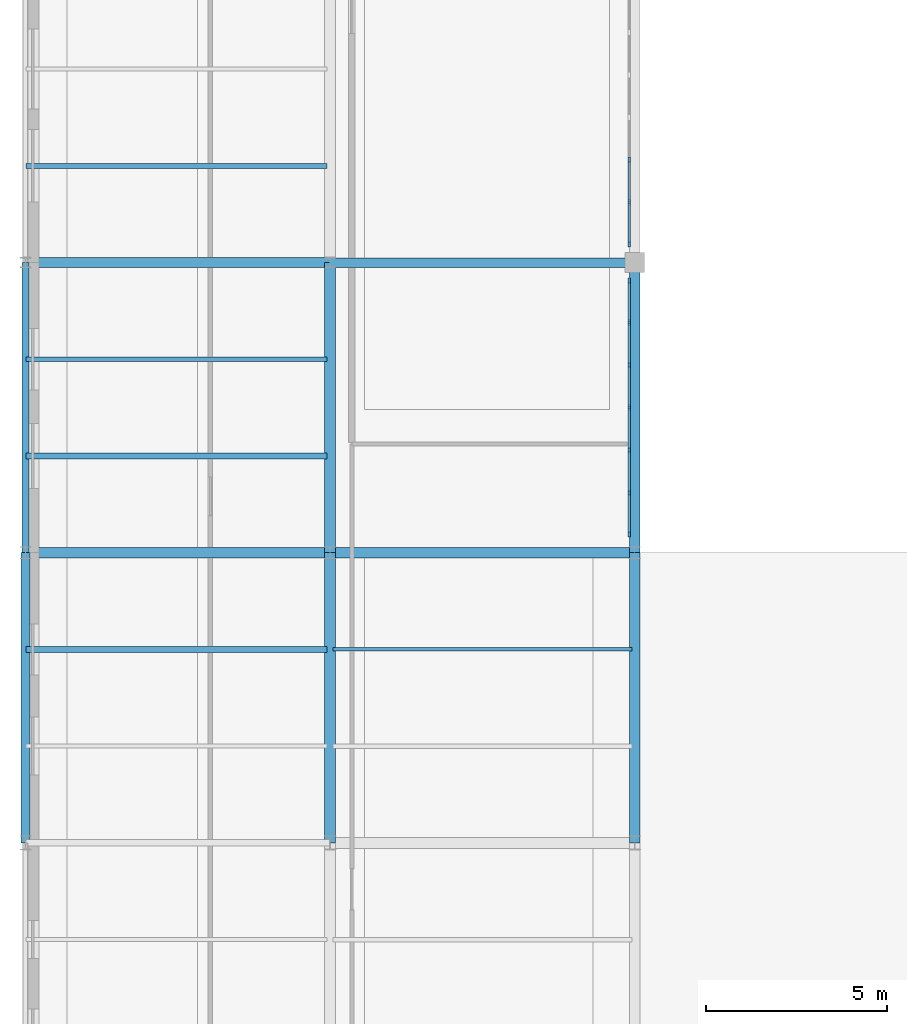
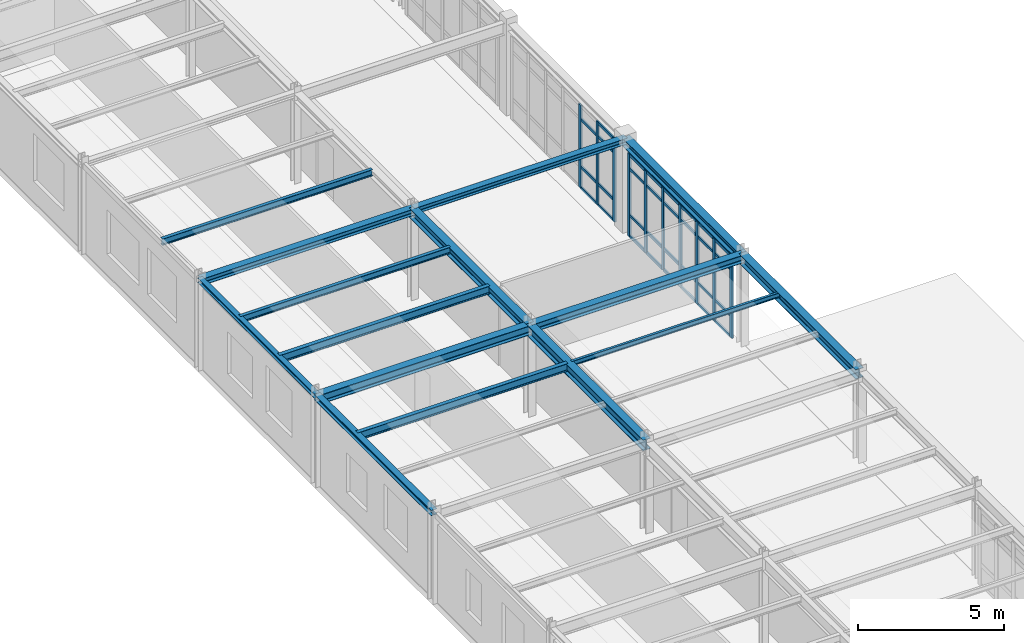
# One storey, part 17 of 58: 41 members, 15 beams, 2 elements without a shape of their own.
"""IFC4 building model written with IfcOpenShell, lengths in metres."""

from ifc_helpers import new_model, si_unit, derived_unit, direction, frame, origin, origin_2d, place, context, subcontext, project, spatial, rectangle, i_section, extrude, material, layer, layer_set, material_profile, profile_set, type_object, element, aggregate, save


model = new_model("IFC4")

# Units and contexts
model_context = context("Model", 3, precision=1e-05, world=origin(), true_north=direction((0.0, 1.0)))
body_context = subcontext(model_context, "Body", "Model", "MODEL_VIEW")
ifc_project = project(units=[si_unit("LENGTHUNIT", "METRE"), si_unit("AREAUNIT", "SQUARE_METRE"), si_unit("VOLUMEUNIT", "CUBIC_METRE"), si_unit("PLANEANGLEUNIT", "RADIAN"), si_unit("MASSUNIT", "GRAM", prefix="KILO"), derived_unit("THERMALTRANSMITTANCEUNIT", [(si_unit("POWERUNIT", "WATT"), 1), (si_unit("AREAUNIT", "SQUARE_METRE"), -1), (si_unit("THERMODYNAMICTEMPERATUREUNIT", "KELVIN"), -1)])], contexts=[model_context])

# Site, building, storey
site_placement = place(None, origin())
site = spatial("IfcSite", under=ifc_project, at=site_placement, CompositionType="ELEMENT")
building_placement = place(site_placement, origin())
building = spatial("IfcBuilding", under=site, at=building_placement, Name="Yasenodar Specialist Clinic", CompositionType="ELEMENT")
storey_placement = place(building_placement, frame((0.0, 0.0, 17.25)))
storey = spatial("IfcBuildingStorey", under=building, at=storey_placement, Name="L04", CompositionType="ELEMENT", Elevation=17.25)

# Beams
ifc_material_1 = material(Name="Steel S355", Category="steel")
ifc_material_profile_1 = material_profile(ifc_material_1, i_section(OverallWidth=0.260009765625, OverallDepth=0.25, WebThickness=0.007568359375, FlangeThickness=0.012451171875, FilletRadius=0.02392578125, at=origin_2d()), Name="HEA 260")
ifc_profile_set_1 = profile_set([ifc_material_profile_1], Name="Steel S355")
beam_type_1 = type_object("IfcBeamType", Name="BM-HEA260", PredefinedType="BEAM", material=ifc_profile_set_1)
beam_1_placement = place(storey_placement, frame((8.39990234375, 74.800048828125, 3.675048828125), z_axis=(1.0, 0.0, 0.0), x_axis=(0.0, 1.0, 0.0)))
element("IfcBeam", 1, at=beam_1_placement, inside=storey, type_object=beam_type_1, Name="L04 Primary E-W Girder", PredefinedType="BEAM", context=body_context, shape_type="SweptSolid", body=[
    extrude(i_section(OverallWidth=0.260009765625, OverallDepth=0.25, WebThickness=0.007568359375, FlangeThickness=0.012451171875, FilletRadius=0.02392578125, at=origin_2d()), origin(), (0.0, 0.0, 1.0), 8.400146484375),
])
ifc_material_profile_2 = material_profile(ifc_material_1, i_section(OverallWidth=0.280029296875, OverallDepth=0.27001953125, WebThickness=0.008056640625, FlangeThickness=0.012939453125, FilletRadius=0.02392578125, at=origin_2d()), Name="HEA 280")
ifc_profile_set_2 = profile_set([ifc_material_profile_2], Name="Steel S355")
beam_type_2 = type_object("IfcBeamType", Name="BM-HEA280", PredefinedType="BEAM", material=ifc_profile_set_2)
beam_2_placement = place(storey_placement, frame((0.0, 74.800048828125, 3.6650390625), z_axis=(1.0, 0.0, 0.0), x_axis=(0.0, 1.0, 0.0)))
element("IfcBeam", 2, at=beam_2_placement, inside=storey, type_object=beam_type_2, Name="L04 Primary E-W Girder", PredefinedType="BEAM", context=body_context, shape_type="SweptSolid", body=[
    extrude(i_section(OverallWidth=0.280029296875, OverallDepth=0.27001953125, WebThickness=0.008056640625, FlangeThickness=0.012939453125, FilletRadius=0.02392578125, at=origin_2d()), origin(), (0.0, 0.0, 1.0), 8.39990234375),
])
ifc_material_profile_3 = material_profile(ifc_material_1, i_section(OverallWidth=0.300048828125, OverallDepth=0.330078125, WebThickness=0.009521484375, FlangeThickness=0.0166015625, FilletRadius=0.027099609375, at=origin_2d()), Name="HEA 340")
ifc_profile_set_3 = profile_set([ifc_material_profile_3], Name="Steel S355")
beam_type_3 = type_object("IfcBeamType", Name="BM-HEA340", PredefinedType="BEAM", material=ifc_profile_set_3)
beam_3_placement = place(storey_placement, frame((8.39990234375, 66.800048828125, 3.635009765625), z_axis=(1.0, 0.0, 0.0), x_axis=(0.0, 1.0, 0.0)))
element("IfcBeam", 3, at=beam_3_placement, inside=storey, type_object=beam_type_3, Name="L04 Primary E-W Girder", PredefinedType="BEAM", context=body_context, shape_type="SweptSolid", body=[
    extrude(i_section(OverallWidth=0.300048828125, OverallDepth=0.330078125, WebThickness=0.009521484375, FlangeThickness=0.0166015625, FilletRadius=0.027099609375, at=origin_2d()), origin(), (0.0, 0.0, 1.0), 8.400146484375),
])
ifc_material_profile_4 = material_profile(ifc_material_1, i_section(OverallWidth=0.300048828125, OverallDepth=0.389892578125, WebThickness=0.010986328125, FlangeThickness=0.01904296875, FilletRadius=0.027099609375, at=origin_2d()), Name="HEA 400")
ifc_profile_set_4 = profile_set([ifc_material_profile_4], Name="Steel S355")
beam_type_4 = type_object("IfcBeamType", Name="BM-HEA400", PredefinedType="BEAM", material=ifc_profile_set_4)
beam_4_placement = place(storey_placement, frame((0.0, 66.800048828125, 3.60498046875), z_axis=(1.0, 0.0, 0.0), x_axis=(0.0, 1.0, 0.0)))
element("IfcBeam", 4, at=beam_4_placement, inside=storey, type_object=beam_type_4, Name="L04 Primary E-W Girder", PredefinedType="BEAM", context=body_context, shape_type="SweptSolid", body=[
    extrude(i_section(OverallWidth=0.300048828125, OverallDepth=0.389892578125, WebThickness=0.010986328125, FlangeThickness=0.01904296875, FilletRadius=0.027099609375, at=origin_2d()), origin(), (0.0, 0.0, 1.0), 8.39990234375),
])
ifc_material_profile_5 = material_profile(ifc_material_1, i_section(OverallWidth=0.300048828125, OverallDepth=0.340087890625, WebThickness=0.011962890625, FlangeThickness=0.021484375, FilletRadius=0.027099609375, at=origin_2d()), Name="HEB 340")
ifc_profile_set_5 = profile_set([ifc_material_profile_5], Name="Steel S355")
beam_type_5 = type_object("IfcBeamType", Name="BM-HEB340", PredefinedType="BEAM", material=ifc_profile_set_5)
beam_5_placement = place(storey_placement, frame((16.800048828125, 66.800048828125, 3.6298828125), z_axis=(0.0, 1.0, 0.0), x_axis=(-1.0, 0.0, 0.0)))
element("IfcBeam", 5, at=beam_5_placement, inside=storey, type_object=beam_type_5, Name="L04 Primary N-S Girder", PredefinedType="BEAM", context=body_context, shape_type="SweptSolid", body=[
    extrude(i_section(OverallWidth=0.300048828125, OverallDepth=0.340087890625, WebThickness=0.011962890625, FlangeThickness=0.021484375, FilletRadius=0.027099609375, at=origin_2d()), origin(), (0.0, 0.0, 1.0), 8.0),
])
ifc_material_profile_6 = material_profile(ifc_material_1, i_section(OverallWidth=0.300048828125, OverallDepth=0.39990234375, WebThickness=0.013427734375, FlangeThickness=0.02392578125, FilletRadius=0.027099609375, at=origin_2d()), Name="HEB 400")
ifc_profile_set_6 = profile_set([ifc_material_profile_6], Name="Steel S355")
beam_type_6 = type_object("IfcBeamType", Name="BM-HEB400", PredefinedType="BEAM", material=ifc_profile_set_6)
for number, where, z_axis, x_axis, name in (
    (6, (8.39990234375, 66.800048828125, 3.60009765625), (0.0, 1.0, 0.0), (-1.0, 0.0, 0.0), "L04 Primary N-S Girder"),
    (7, (16.800048828125, 58.800048828125, 3.60009765625), (0.0, 1.0, 0.0), (-1.0, 0.0, 0.0), "L04 Primary N-S Girder"),
):
    element("IfcBeam", number, at=place(storey_placement, frame(where, z_axis=z_axis, x_axis=x_axis)), inside=storey, type_object=beam_type_6, Name=name, PredefinedType="BEAM", context=body_context, shape_type="SweptSolid", body=[
        extrude(i_section(OverallWidth=0.300048828125, OverallDepth=0.39990234375, WebThickness=0.013427734375, FlangeThickness=0.02392578125, FilletRadius=0.027099609375, at=origin_2d()), origin(), (0.0, 0.0, 1.0), 8.0),
    ])
ifc_material_profile_7 = material_profile(ifc_material_1, i_section(OverallWidth=0.300048828125, OverallDepth=0.449951171875, WebThickness=0.013916015625, FlangeThickness=0.02587890625, FilletRadius=0.027099609375, at=origin_2d()), Name="HEB 450")
ifc_profile_set_7 = profile_set([ifc_material_profile_7], Name="Steel S355")
beam_type_7 = type_object("IfcBeamType", Name="BM-HEB450", PredefinedType="BEAM", material=ifc_profile_set_7)
beam_6_placement = place(storey_placement, frame((8.39990234375, 58.800048828125, 3.574951171875), z_axis=(0.0, 1.0, 0.0), x_axis=(-1.0, 0.0, 0.0)))
element("IfcBeam", 8, at=beam_6_placement, inside=storey, type_object=beam_type_7, Name="L04 Primary N-S Girder", PredefinedType="BEAM", context=body_context, shape_type="SweptSolid", body=[
    extrude(i_section(OverallWidth=0.300048828125, OverallDepth=0.449951171875, WebThickness=0.013916015625, FlangeThickness=0.02587890625, FilletRadius=0.027099609375, at=origin_2d()), origin(), (0.0, 0.0, 1.0), 8.0),
])

# Curtain wall, members
ifc_material_2 = material(Name="Bronze Anodized Aluminium and Triple Low-E Glass", Category="aluminium")
ifc_layer = layer(ifc_material_2, 0.202880859375)
ifc_layer_set = layer_set([ifc_layer], Name="Bronze Anodized Aluminium and Triple Low-E Glass")
curtain_wall_type = type_object("IfcCurtainWallType", Name="CW-SYS-04", PredefinedType="USERDEFINED", material=ifc_layer_set)
curtain_wall_1_placement = place(storey_placement, origin())
curtain_wall_1 = element("IfcCurtainWall", 9, at=curtain_wall_1_placement, inside=storey, type_object=curtain_wall_type, Name="L04 Unitised Curtain Wall 138", ObjectType="UNITISED CURTAIN WALL", PredefinedType="USERDEFINED")
ifc_material_3 = material(Name="Bronze Anodized Aluminium", Category="aluminium")
ifc_material_profile_8 = material_profile(ifc_material_3, rectangle(XDim=0.06005859375, YDim=0.159912109375, at=origin_2d()), Name="CW-MULL 60x160")
ifc_profile_set_8 = profile_set([ifc_material_profile_8], Name="Bronze Anodized Aluminium")
member_type_1 = type_object("IfcMemberType", Name="CW-MULL-160", PredefinedType="MULLION", material=ifc_profile_set_8)
member_1_placement = place(storey_placement, frame((16.64990234375, 77.626708984375, 0.0), z_axis=(0.0, 0.0, 1.0), x_axis=(1.0, 0.0, 0.0)))
member_1 = element("IfcMember", 10, at=member_1_placement, type_object=member_type_1, Name="CW-04 mullion 5", PredefinedType="MULLION", context=body_context, shape_type="SweptSolid", body=[
    extrude(rectangle(XDim=0.06005859375, YDim=0.159912109375, at=origin_2d()), origin(), (0.0, 0.0, 1.0), 3.47802734375),
])
member_2_placement = place(storey_placement, frame((16.64990234375, 76.453369140625, 0.0), z_axis=(0.0, 0.0, 1.0), x_axis=(1.0, 0.0, 0.0)))
member_2 = element("IfcMember", 11, at=member_2_placement, type_object=member_type_1, Name="CW-04 mullion 6", PredefinedType="MULLION", context=body_context, shape_type="SweptSolid", body=[
    extrude(rectangle(XDim=0.06005859375, YDim=0.159912109375, at=origin_2d()), origin(), (0.0, 0.0, 1.0), 3.47802734375),
])
member_3_placement = place(storey_placement, frame((16.64990234375, 75.31005859375, 0.0), z_axis=(0.0, 0.0, 1.0), x_axis=(1.0, 0.0, 0.0)))
member_3 = element("IfcMember", 12, at=member_3_placement, type_object=member_type_1, Name="CW-04 mullion 7", PredefinedType="MULLION", context=body_context, shape_type="SweptSolid", body=[
    extrude(rectangle(XDim=0.06005859375, YDim=0.159912109375, at=origin_2d()), origin(), (0.0, 0.0, 1.0), 3.47802734375),
])

curtain_wall_2_placement = place(storey_placement, origin())
curtain_wall_2 = element("IfcCurtainWall", 13, at=curtain_wall_2_placement, inside=storey, type_object=curtain_wall_type, Name="L04 Unitised Curtain Wall 139", ObjectType="UNITISED CURTAIN WALL", PredefinedType="USERDEFINED")
member_4_placement = place(storey_placement, frame((16.64990234375, 74.2900390625, 0.0), z_axis=(0.0, 0.0, 1.0), x_axis=(1.0, 0.0, 0.0)))
member_4 = element("IfcMember", 14, at=member_4_placement, type_object=member_type_1, Name="CW-04 mullion 1", PredefinedType="MULLION", context=body_context, shape_type="SweptSolid", body=[
    extrude(rectangle(XDim=0.06005859375, YDim=0.159912109375, at=origin_2d()), origin(), (0.0, 0.0, 1.0), 3.43798828125),
])
member_5_placement = place(storey_placement, frame((16.64990234375, 73.146728515625, 0.0), z_axis=(0.0, 0.0, 1.0), x_axis=(1.0, 0.0, 0.0)))
member_5 = element("IfcMember", 15, at=member_5_placement, type_object=member_type_1, Name="CW-04 mullion 2", PredefinedType="MULLION", context=body_context, shape_type="SweptSolid", body=[
    extrude(rectangle(XDim=0.06005859375, YDim=0.159912109375, at=origin_2d()), origin(), (0.0, 0.0, 1.0), 3.43798828125),
])
member_6_placement = place(storey_placement, frame((16.64990234375, 71.973388671875, 0.0), z_axis=(0.0, 0.0, 1.0), x_axis=(1.0, 0.0, 0.0)))
member_6 = element("IfcMember", 16, at=member_6_placement, type_object=member_type_1, Name="CW-04 mullion 3", PredefinedType="MULLION", context=body_context, shape_type="SweptSolid", body=[
    extrude(rectangle(XDim=0.06005859375, YDim=0.159912109375, at=origin_2d()), origin(), (0.0, 0.0, 1.0), 3.43798828125),
])
member_7_placement = place(storey_placement, frame((16.64990234375, 70.800048828125, 0.0), z_axis=(0.0, 0.0, 1.0), x_axis=(1.0, 0.0, 0.0)))
member_7 = element("IfcMember", 17, at=member_7_placement, type_object=member_type_1, Name="CW-04 mullion 4", PredefinedType="MULLION", context=body_context, shape_type="SweptSolid", body=[
    extrude(rectangle(XDim=0.06005859375, YDim=0.159912109375, at=origin_2d()), origin(), (0.0, 0.0, 1.0), 3.43798828125),
])
member_8_placement = place(storey_placement, frame((16.64990234375, 69.626708984375, 0.0), z_axis=(0.0, 0.0, 1.0), x_axis=(1.0, 0.0, 0.0)))
member_8 = element("IfcMember", 18, at=member_8_placement, type_object=member_type_1, Name="CW-04 mullion 5", PredefinedType="MULLION", context=body_context, shape_type="SweptSolid", body=[
    extrude(rectangle(XDim=0.06005859375, YDim=0.159912109375, at=origin_2d()), origin(), (0.0, 0.0, 1.0), 3.43798828125),
])
member_9_placement = place(storey_placement, frame((16.64990234375, 68.453369140625, 0.0), z_axis=(0.0, 0.0, 1.0), x_axis=(1.0, 0.0, 0.0)))
member_9 = element("IfcMember", 19, at=member_9_placement, type_object=member_type_1, Name="CW-04 mullion 6", PredefinedType="MULLION", context=body_context, shape_type="SweptSolid", body=[
    extrude(rectangle(XDim=0.06005859375, YDim=0.159912109375, at=origin_2d()), origin(), (0.0, 0.0, 1.0), 3.43798828125),
])
member_10_placement = place(storey_placement, frame((16.64990234375, 67.31005859375, 0.0), z_axis=(0.0, 0.0, 1.0), x_axis=(1.0, 0.0, 0.0)))
member_10 = element("IfcMember", 20, at=member_10_placement, type_object=member_type_1, Name="CW-04 mullion 7", PredefinedType="MULLION", context=body_context, shape_type="SweptSolid", body=[
    extrude(rectangle(XDim=0.06005859375, YDim=0.159912109375, at=origin_2d()), origin(), (0.0, 0.0, 1.0), 3.43798828125),
])

# Member
ifc_material_profile_9 = material_profile(ifc_material_3, rectangle(XDim=0.06005859375, YDim=0.1201171875, at=origin_2d()), Name="CW-TRAN 60x120")
ifc_profile_set_9 = profile_set([ifc_material_profile_9], Name="Bronze Anodized Aluminium")
member_type_2 = type_object("IfcMemberType", Name="CW-TRAN-120", PredefinedType="USERDEFINED", material=ifc_profile_set_9)
member_11_placement = place(storey_placement, frame((16.64990234375, 77.5966796875, 0.030029296875), z_axis=(0.0, -1.0, 0.0), x_axis=(1.0, 0.0, 0.0)))
member_11 = element("IfcMember", 21, at=member_11_placement, type_object=member_type_2, Name="CW-04 transom 5.1", ObjectType="TRANSOM", PredefinedType="USERDEFINED", context=body_context, shape_type="SweptSolid", body=[
    extrude(rectangle(XDim=0.06005859375, YDim=0.1201171875, at=origin_2d()), origin(), (0.0, 0.0, 1.0), 1.11328125),
])

member_12_placement = place(storey_placement, frame((16.64990234375, 77.5966796875, 0.89990234375), z_axis=(0.0, -1.0, 0.0), x_axis=(1.0, 0.0, 0.0)))
member_12 = element("IfcMember", 22, at=member_12_placement, type_object=member_type_2, Name="CW-04 transom 5.2", ObjectType="TRANSOM", PredefinedType="USERDEFINED", context=body_context, shape_type="SweptSolid", body=[
    extrude(rectangle(XDim=0.06005859375, YDim=0.1201171875, at=origin_2d()), origin(), (0.0, 0.0, 1.0), 1.11328125),
])

member_13_placement = place(storey_placement, frame((16.64990234375, 77.5966796875, 2.8779296875), z_axis=(0.0, -1.0, 0.0), x_axis=(1.0, 0.0, 0.0)))
member_13 = element("IfcMember", 23, at=member_13_placement, type_object=member_type_2, Name="CW-04 transom 5.3", ObjectType="TRANSOM", PredefinedType="USERDEFINED", context=body_context, shape_type="SweptSolid", body=[
    extrude(rectangle(XDim=0.06005859375, YDim=0.1201171875, at=origin_2d()), origin(), (0.0, 0.0, 1.0), 1.11328125),
])

member_14_placement = place(storey_placement, frame((16.64990234375, 76.42333984375, 0.030029296875), z_axis=(0.0, -1.0, 0.0), x_axis=(1.0, 0.0, 0.0)))
member_14 = element("IfcMember", 24, at=member_14_placement, type_object=member_type_2, Name="CW-04 transom 6.1", ObjectType="TRANSOM", PredefinedType="USERDEFINED", context=body_context, shape_type="SweptSolid", body=[
    extrude(rectangle(XDim=0.06005859375, YDim=0.1201171875, at=origin_2d()), origin(), (0.0, 0.0, 1.0), 1.083251953125),
])

member_15_placement = place(storey_placement, frame((16.64990234375, 76.42333984375, 0.89990234375), z_axis=(0.0, -1.0, 0.0), x_axis=(1.0, 0.0, 0.0)))
member_15 = element("IfcMember", 25, at=member_15_placement, type_object=member_type_2, Name="CW-04 transom 6.2", ObjectType="TRANSOM", PredefinedType="USERDEFINED", context=body_context, shape_type="SweptSolid", body=[
    extrude(rectangle(XDim=0.06005859375, YDim=0.1201171875, at=origin_2d()), origin(), (0.0, 0.0, 1.0), 1.083251953125),
])

member_16_placement = place(storey_placement, frame((16.64990234375, 76.42333984375, 2.8779296875), z_axis=(0.0, -1.0, 0.0), x_axis=(1.0, 0.0, 0.0)))
member_16 = element("IfcMember", 26, at=member_16_placement, type_object=member_type_2, Name="CW-04 transom 6.3", ObjectType="TRANSOM", PredefinedType="USERDEFINED", context=body_context, shape_type="SweptSolid", body=[
    extrude(rectangle(XDim=0.06005859375, YDim=0.1201171875, at=origin_2d()), origin(), (0.0, 0.0, 1.0), 1.083251953125),
])

member_17_placement = place(storey_placement, frame((16.64990234375, 76.42333984375, 3.447998046875), z_axis=(0.0, -1.0, 0.0), x_axis=(1.0, 0.0, 0.0)))
member_17 = element("IfcMember", 27, at=member_17_placement, type_object=member_type_2, Name="CW-04 transom 6.4", ObjectType="TRANSOM", PredefinedType="USERDEFINED", context=body_context, shape_type="SweptSolid", body=[
    extrude(rectangle(XDim=0.06005859375, YDim=0.1201171875, at=origin_2d()), origin(), (0.0, 0.0, 1.0), 1.083251953125),
])

aggregate(curtain_wall_1, [member_1, member_2, member_3, member_11, member_12, member_13, member_14, member_15, member_16, member_17])

member_18_placement = place(storey_placement, frame((16.64990234375, 74.260009765625, 0.030029296875), z_axis=(0.0, -1.0, 0.0), x_axis=(1.0, 0.0, 0.0)))
member_18 = element("IfcMember", 28, at=member_18_placement, type_object=member_type_2, Name="CW-04 transom 1.1", ObjectType="TRANSOM", PredefinedType="USERDEFINED", context=body_context, shape_type="SweptSolid", body=[
    extrude(rectangle(XDim=0.06005859375, YDim=0.1201171875, at=origin_2d()), origin(), (0.0, 0.0, 1.0), 1.083251953125),
])

member_19_placement = place(storey_placement, frame((16.64990234375, 74.260009765625, 0.89990234375), z_axis=(0.0, -1.0, 0.0), x_axis=(1.0, 0.0, 0.0)))
member_19 = element("IfcMember", 29, at=member_19_placement, type_object=member_type_2, Name="CW-04 transom 1.2", ObjectType="TRANSOM", PredefinedType="USERDEFINED", context=body_context, shape_type="SweptSolid", body=[
    extrude(rectangle(XDim=0.06005859375, YDim=0.1201171875, at=origin_2d()), origin(), (0.0, 0.0, 1.0), 1.083251953125),
])

member_20_placement = place(storey_placement, frame((16.64990234375, 74.260009765625, 2.837890625), z_axis=(0.0, -1.0, 0.0), x_axis=(1.0, 0.0, 0.0)))
member_20 = element("IfcMember", 30, at=member_20_placement, type_object=member_type_2, Name="CW-04 transom 1.3", ObjectType="TRANSOM", PredefinedType="USERDEFINED", context=body_context, shape_type="SweptSolid", body=[
    extrude(rectangle(XDim=0.06005859375, YDim=0.1201171875, at=origin_2d()), origin(), (0.0, 0.0, 1.0), 1.083251953125),
])

member_21_placement = place(storey_placement, frame((16.64990234375, 74.260009765625, 3.407958984375), z_axis=(0.0, -1.0, 0.0), x_axis=(1.0, 0.0, 0.0)))
member_21 = element("IfcMember", 31, at=member_21_placement, type_object=member_type_2, Name="CW-04 transom 1.4", ObjectType="TRANSOM", PredefinedType="USERDEFINED", context=body_context, shape_type="SweptSolid", body=[
    extrude(rectangle(XDim=0.06005859375, YDim=0.1201171875, at=origin_2d()), origin(), (0.0, 0.0, 1.0), 1.083251953125),
])

member_22_placement = place(storey_placement, frame((16.64990234375, 73.11669921875, 0.030029296875), z_axis=(0.0, -1.0, 0.0), x_axis=(1.0, 0.0, 0.0)))
member_22 = element("IfcMember", 32, at=member_22_placement, type_object=member_type_2, Name="CW-04 transom 2.1", ObjectType="TRANSOM", PredefinedType="USERDEFINED", context=body_context, shape_type="SweptSolid", body=[
    extrude(rectangle(XDim=0.06005859375, YDim=0.1201171875, at=origin_2d()), origin(), (0.0, 0.0, 1.0), 1.11328125),
])

member_23_placement = place(storey_placement, frame((16.64990234375, 73.11669921875, 0.89990234375), z_axis=(0.0, -1.0, 0.0), x_axis=(1.0, 0.0, 0.0)))
member_23 = element("IfcMember", 33, at=member_23_placement, type_object=member_type_2, Name="CW-04 transom 2.2", ObjectType="TRANSOM", PredefinedType="USERDEFINED", context=body_context, shape_type="SweptSolid", body=[
    extrude(rectangle(XDim=0.06005859375, YDim=0.1201171875, at=origin_2d()), origin(), (0.0, 0.0, 1.0), 1.11328125),
])

member_24_placement = place(storey_placement, frame((16.64990234375, 73.11669921875, 2.837890625), z_axis=(0.0, -1.0, 0.0), x_axis=(1.0, 0.0, 0.0)))
member_24 = element("IfcMember", 34, at=member_24_placement, type_object=member_type_2, Name="CW-04 transom 2.3", ObjectType="TRANSOM", PredefinedType="USERDEFINED", context=body_context, shape_type="SweptSolid", body=[
    extrude(rectangle(XDim=0.06005859375, YDim=0.1201171875, at=origin_2d()), origin(), (0.0, 0.0, 1.0), 1.11328125),
])

member_25_placement = place(storey_placement, frame((16.64990234375, 73.11669921875, 3.407958984375), z_axis=(0.0, -1.0, 0.0), x_axis=(1.0, 0.0, 0.0)))
member_25 = element("IfcMember", 35, at=member_25_placement, type_object=member_type_2, Name="CW-04 transom 2.4", ObjectType="TRANSOM", PredefinedType="USERDEFINED", context=body_context, shape_type="SweptSolid", body=[
    extrude(rectangle(XDim=0.06005859375, YDim=0.1201171875, at=origin_2d()), origin(), (0.0, 0.0, 1.0), 1.11328125),
])

member_26_placement = place(storey_placement, frame((16.64990234375, 71.943359375, 0.030029296875), z_axis=(0.0, -1.0, 0.0), x_axis=(1.0, 0.0, 0.0)))
member_26 = element("IfcMember", 36, at=member_26_placement, type_object=member_type_2, Name="CW-04 transom 3.1", ObjectType="TRANSOM", PredefinedType="USERDEFINED", context=body_context, shape_type="SweptSolid", body=[
    extrude(rectangle(XDim=0.06005859375, YDim=0.1201171875, at=origin_2d()), origin(), (0.0, 0.0, 1.0), 1.11328125),
])

member_27_placement = place(storey_placement, frame((16.64990234375, 71.943359375, 0.89990234375), z_axis=(0.0, -1.0, 0.0), x_axis=(1.0, 0.0, 0.0)))
member_27 = element("IfcMember", 37, at=member_27_placement, type_object=member_type_2, Name="CW-04 transom 3.2", ObjectType="TRANSOM", PredefinedType="USERDEFINED", context=body_context, shape_type="SweptSolid", body=[
    extrude(rectangle(XDim=0.06005859375, YDim=0.1201171875, at=origin_2d()), origin(), (0.0, 0.0, 1.0), 1.11328125),
])

member_28_placement = place(storey_placement, frame((16.64990234375, 71.943359375, 2.837890625), z_axis=(0.0, -1.0, 0.0), x_axis=(1.0, 0.0, 0.0)))
member_28 = element("IfcMember", 38, at=member_28_placement, type_object=member_type_2, Name="CW-04 transom 3.3", ObjectType="TRANSOM", PredefinedType="USERDEFINED", context=body_context, shape_type="SweptSolid", body=[
    extrude(rectangle(XDim=0.06005859375, YDim=0.1201171875, at=origin_2d()), origin(), (0.0, 0.0, 1.0), 1.11328125),
])

member_29_placement = place(storey_placement, frame((16.64990234375, 71.943359375, 3.407958984375), z_axis=(0.0, -1.0, 0.0), x_axis=(1.0, 0.0, 0.0)))
member_29 = element("IfcMember", 39, at=member_29_placement, type_object=member_type_2, Name="CW-04 transom 3.4", ObjectType="TRANSOM", PredefinedType="USERDEFINED", context=body_context, shape_type="SweptSolid", body=[
    extrude(rectangle(XDim=0.06005859375, YDim=0.1201171875, at=origin_2d()), origin(), (0.0, 0.0, 1.0), 1.11328125),
])

member_30_placement = place(storey_placement, frame((16.64990234375, 70.77001953125, 0.030029296875), z_axis=(0.0, -1.0, 0.0), x_axis=(1.0, 0.0, 0.0)))
member_30 = element("IfcMember", 40, at=member_30_placement, type_object=member_type_2, Name="CW-04 transom 4.1", ObjectType="TRANSOM", PredefinedType="USERDEFINED", context=body_context, shape_type="SweptSolid", body=[
    extrude(rectangle(XDim=0.06005859375, YDim=0.1201171875, at=origin_2d()), origin(), (0.0, 0.0, 1.0), 1.11328125),
])

member_31_placement = place(storey_placement, frame((16.64990234375, 70.77001953125, 0.89990234375), z_axis=(0.0, -1.0, 0.0), x_axis=(1.0, 0.0, 0.0)))
member_31 = element("IfcMember", 41, at=member_31_placement, type_object=member_type_2, Name="CW-04 transom 4.2", ObjectType="TRANSOM", PredefinedType="USERDEFINED", context=body_context, shape_type="SweptSolid", body=[
    extrude(rectangle(XDim=0.06005859375, YDim=0.1201171875, at=origin_2d()), origin(), (0.0, 0.0, 1.0), 1.11328125),
])

member_32_placement = place(storey_placement, frame((16.64990234375, 70.77001953125, 2.837890625), z_axis=(0.0, -1.0, 0.0), x_axis=(1.0, 0.0, 0.0)))
member_32 = element("IfcMember", 42, at=member_32_placement, type_object=member_type_2, Name="CW-04 transom 4.3", ObjectType="TRANSOM", PredefinedType="USERDEFINED", context=body_context, shape_type="SweptSolid", body=[
    extrude(rectangle(XDim=0.06005859375, YDim=0.1201171875, at=origin_2d()), origin(), (0.0, 0.0, 1.0), 1.11328125),
])

member_33_placement = place(storey_placement, frame((16.64990234375, 70.77001953125, 3.407958984375), z_axis=(0.0, -1.0, 0.0), x_axis=(1.0, 0.0, 0.0)))
member_33 = element("IfcMember", 43, at=member_33_placement, type_object=member_type_2, Name="CW-04 transom 4.4", ObjectType="TRANSOM", PredefinedType="USERDEFINED", context=body_context, shape_type="SweptSolid", body=[
    extrude(rectangle(XDim=0.06005859375, YDim=0.1201171875, at=origin_2d()), origin(), (0.0, 0.0, 1.0), 1.11328125),
])

member_34_placement = place(storey_placement, frame((16.64990234375, 69.5966796875, 0.030029296875), z_axis=(0.0, -1.0, 0.0), x_axis=(1.0, 0.0, 0.0)))
member_34 = element("IfcMember", 44, at=member_34_placement, type_object=member_type_2, Name="CW-04 transom 5.1", ObjectType="TRANSOM", PredefinedType="USERDEFINED", context=body_context, shape_type="SweptSolid", body=[
    extrude(rectangle(XDim=0.06005859375, YDim=0.1201171875, at=origin_2d()), origin(), (0.0, 0.0, 1.0), 1.11328125),
])

member_35_placement = place(storey_placement, frame((16.64990234375, 69.5966796875, 0.89990234375), z_axis=(0.0, -1.0, 0.0), x_axis=(1.0, 0.0, 0.0)))
member_35 = element("IfcMember", 45, at=member_35_placement, type_object=member_type_2, Name="CW-04 transom 5.2", ObjectType="TRANSOM", PredefinedType="USERDEFINED", context=body_context, shape_type="SweptSolid", body=[
    extrude(rectangle(XDim=0.06005859375, YDim=0.1201171875, at=origin_2d()), origin(), (0.0, 0.0, 1.0), 1.11328125),
])

member_36_placement = place(storey_placement, frame((16.64990234375, 69.5966796875, 2.837890625), z_axis=(0.0, -1.0, 0.0), x_axis=(1.0, 0.0, 0.0)))
member_36 = element("IfcMember", 46, at=member_36_placement, type_object=member_type_2, Name="CW-04 transom 5.3", ObjectType="TRANSOM", PredefinedType="USERDEFINED", context=body_context, shape_type="SweptSolid", body=[
    extrude(rectangle(XDim=0.06005859375, YDim=0.1201171875, at=origin_2d()), origin(), (0.0, 0.0, 1.0), 1.11328125),
])

member_37_placement = place(storey_placement, frame((16.64990234375, 69.5966796875, 3.407958984375), z_axis=(0.0, -1.0, 0.0), x_axis=(1.0, 0.0, 0.0)))
member_37 = element("IfcMember", 47, at=member_37_placement, type_object=member_type_2, Name="CW-04 transom 5.4", ObjectType="TRANSOM", PredefinedType="USERDEFINED", context=body_context, shape_type="SweptSolid", body=[
    extrude(rectangle(XDim=0.06005859375, YDim=0.1201171875, at=origin_2d()), origin(), (0.0, 0.0, 1.0), 1.11328125),
])

member_38_placement = place(storey_placement, frame((16.64990234375, 68.42333984375, 0.030029296875), z_axis=(0.0, -1.0, 0.0), x_axis=(1.0, 0.0, 0.0)))
member_38 = element("IfcMember", 48, at=member_38_placement, type_object=member_type_2, Name="CW-04 transom 6.1", ObjectType="TRANSOM", PredefinedType="USERDEFINED", context=body_context, shape_type="SweptSolid", body=[
    extrude(rectangle(XDim=0.06005859375, YDim=0.1201171875, at=origin_2d()), origin(), (0.0, 0.0, 1.0), 1.083251953125),
])

member_39_placement = place(storey_placement, frame((16.64990234375, 68.42333984375, 0.89990234375), z_axis=(0.0, -1.0, 0.0), x_axis=(1.0, 0.0, 0.0)))
member_39 = element("IfcMember", 49, at=member_39_placement, type_object=member_type_2, Name="CW-04 transom 6.2", ObjectType="TRANSOM", PredefinedType="USERDEFINED", context=body_context, shape_type="SweptSolid", body=[
    extrude(rectangle(XDim=0.06005859375, YDim=0.1201171875, at=origin_2d()), origin(), (0.0, 0.0, 1.0), 1.083251953125),
])

member_40_placement = place(storey_placement, frame((16.64990234375, 68.42333984375, 2.837890625), z_axis=(0.0, -1.0, 0.0), x_axis=(1.0, 0.0, 0.0)))
member_40 = element("IfcMember", 50, at=member_40_placement, type_object=member_type_2, Name="CW-04 transom 6.3", ObjectType="TRANSOM", PredefinedType="USERDEFINED", context=body_context, shape_type="SweptSolid", body=[
    extrude(rectangle(XDim=0.06005859375, YDim=0.1201171875, at=origin_2d()), origin(), (0.0, 0.0, 1.0), 1.083251953125),
])

member_41_placement = place(storey_placement, frame((16.64990234375, 68.42333984375, 3.407958984375), z_axis=(0.0, -1.0, 0.0), x_axis=(1.0, 0.0, 0.0)))
member_41 = element("IfcMember", 51, at=member_41_placement, type_object=member_type_2, Name="CW-04 transom 6.4", ObjectType="TRANSOM", PredefinedType="USERDEFINED", context=body_context, shape_type="SweptSolid", body=[
    extrude(rectangle(XDim=0.06005859375, YDim=0.1201171875, at=origin_2d()), origin(), (0.0, 0.0, 1.0), 1.083251953125),
])

aggregate(curtain_wall_2, [member_4, member_5, member_6, member_7, member_8, member_9, member_10, member_18, member_19, member_20, member_21, member_22, member_23, member_24, member_25, member_26, member_27, member_28, member_29, member_30, member_31, member_32, member_33, member_34, member_35, member_36, member_37, member_38, member_39, member_40, member_41])

# Beams
ifc_material_profile_10 = material_profile(ifc_material_1, i_section(OverallWidth=0.10009765625, OverallDepth=0.199951171875, WebThickness=0.005615234375, FlangeThickness=0.008544921875, FilletRadius=0.011962890625, at=origin_2d()), Name="IPE 200")
ifc_profile_set_10 = profile_set([ifc_material_profile_10], Name="Steel S355")
beam_type_8 = type_object("IfcBeamType", Name="JS-IPE200", PredefinedType="JOIST", material=ifc_profile_set_10)
beam_7_placement = place(storey_placement, frame((8.47998046875, 64.13330078125, 3.699951171875), z_axis=(1.0, 0.0, 0.0), x_axis=(0.0, 1.0, 0.0)))
element("IfcBeam", 52, at=beam_7_placement, inside=storey, type_object=beam_type_8, Name="L04 Composite Floor Joist", PredefinedType="JOIST", context=body_context, shape_type="SweptSolid", body=[
    extrude(i_section(OverallWidth=0.10009765625, OverallDepth=0.199951171875, WebThickness=0.005615234375, FlangeThickness=0.008544921875, FilletRadius=0.011962890625, at=origin_2d()), origin(), (0.0, 0.0, 1.0), 8.239990234375),
])
ifc_material_profile_11 = material_profile(ifc_material_1, i_section(OverallWidth=0.135009765625, OverallDepth=0.27001953125, WebThickness=0.006591796875, FlangeThickness=0.01025390625, FilletRadius=0.014892578125, at=origin_2d()), Name="IPE 270")
ifc_profile_set_11 = profile_set([ifc_material_profile_11], Name="Steel S355")
beam_type_9 = type_object("IfcBeamType", Name="JS-IPE270", PredefinedType="JOIST", material=ifc_profile_set_11)
for number, where, z_axis, x_axis, name in (
    (53, (0.014892578125, 72.13330078125, 3.6650390625), (1.0, 0.0, 0.0), (0.0, 1.0, 0.0), "L04 Composite Floor Joist"),
    (54, (0.014892578125, 77.466796875, 3.6650390625), (1.0, 0.0, 0.0), (0.0, 1.0, 0.0), "L04 Composite Floor Joist"),
):
    element("IfcBeam", number, at=place(storey_placement, frame(where, z_axis=z_axis, x_axis=x_axis)), inside=storey, type_object=beam_type_9, Name=name, PredefinedType="JOIST", context=body_context, shape_type="SweptSolid", body=[
        extrude(i_section(OverallWidth=0.135009765625, OverallDepth=0.27001953125, WebThickness=0.006591796875, FlangeThickness=0.01025390625, FilletRadius=0.014892578125, at=origin_2d()), origin(), (0.0, 0.0, 1.0), 8.30517578125),
    ])
ifc_material_profile_12 = material_profile(ifc_material_1, i_section(OverallWidth=0.159912109375, OverallDepth=0.330078125, WebThickness=0.007568359375, FlangeThickness=0.011474609375, FilletRadius=0.01806640625, at=origin_2d()), Name="IPE 330")
ifc_profile_set_12 = profile_set([ifc_material_profile_12], Name="Steel S355")
beam_type_10 = type_object("IfcBeamType", Name="JS-IPE330", PredefinedType="JOIST", material=ifc_profile_set_12)
for number, where, z_axis, x_axis, name in (
    (55, (0.014892578125, 64.13330078125, 3.635009765625), (1.0, 0.0, 0.0), (0.0, 1.0, 0.0), "L04 Composite Floor Joist"),
    (56, (0.014892578125, 69.466796875, 3.635009765625), (1.0, 0.0, 0.0), (0.0, 1.0, 0.0), "L04 Composite Floor Joist"),
):
    element("IfcBeam", number, at=place(storey_placement, frame(where, z_axis=z_axis, x_axis=x_axis)), inside=storey, type_object=beam_type_10, Name=name, PredefinedType="JOIST", context=body_context, shape_type="SweptSolid", body=[
        extrude(i_section(OverallWidth=0.159912109375, OverallDepth=0.330078125, WebThickness=0.007568359375, FlangeThickness=0.011474609375, FilletRadius=0.01806640625, at=origin_2d()), origin(), (0.0, 0.0, 1.0), 8.30517578125),
    ])
ifc_material_profile_13 = material_profile(ifc_material_1, i_section(OverallWidth=0.199951171875, OverallDepth=0.18994140625, WebThickness=0.006591796875, FlangeThickness=0.010009765625, FilletRadius=0.01806640625, at=origin_2d()), Name="HEA 200")
ifc_profile_set_13 = profile_set([ifc_material_profile_13], Name="Steel S355")
beam_type_11 = type_object("IfcBeamType", Name="SP-HEA200", PredefinedType="SPANDREL", material=ifc_profile_set_13)
beam_8_placement = place(storey_placement, frame((0.0, 66.800048828125, 3.705078125), z_axis=(0.0, 1.0, 0.0), x_axis=(-1.0, 0.0, 0.0)))
element("IfcBeam", 57, at=beam_8_placement, inside=storey, type_object=beam_type_11, Name="L04 Perimeter Spandrel Beam", PredefinedType="SPANDREL", context=body_context, shape_type="SweptSolid", body=[
    extrude(i_section(OverallWidth=0.199951171875, OverallDepth=0.18994140625, WebThickness=0.006591796875, FlangeThickness=0.010009765625, FilletRadius=0.01806640625, at=origin_2d()), origin(), (0.0, 0.0, 1.0), 8.0),
])
ifc_material_profile_14 = material_profile(ifc_material_1, i_section(OverallWidth=0.239990234375, OverallDepth=0.22998046875, WebThickness=0.007568359375, FlangeThickness=0.011962890625, FilletRadius=0.02099609375, at=origin_2d()), Name="HEA 240")
ifc_profile_set_14 = profile_set([ifc_material_profile_14], Name="Steel S355")
beam_type_12 = type_object("IfcBeamType", Name="SP-HEA240", PredefinedType="SPANDREL", material=ifc_profile_set_14)
beam_9_placement = place(storey_placement, frame((0.0, 58.800048828125, 3.68505859375), z_axis=(0.0, 1.0, 0.0), x_axis=(-1.0, 0.0, 0.0)))
element("IfcBeam", 58, at=beam_9_placement, inside=storey, type_object=beam_type_12, Name="L04 Perimeter Spandrel Beam", PredefinedType="SPANDREL", context=body_context, shape_type="SweptSolid", body=[
    extrude(i_section(OverallWidth=0.239990234375, OverallDepth=0.22998046875, WebThickness=0.007568359375, FlangeThickness=0.011962890625, FilletRadius=0.02099609375, at=origin_2d()), origin(), (0.0, 0.0, 1.0), 8.0),
])

save(model, "model.ifc")
